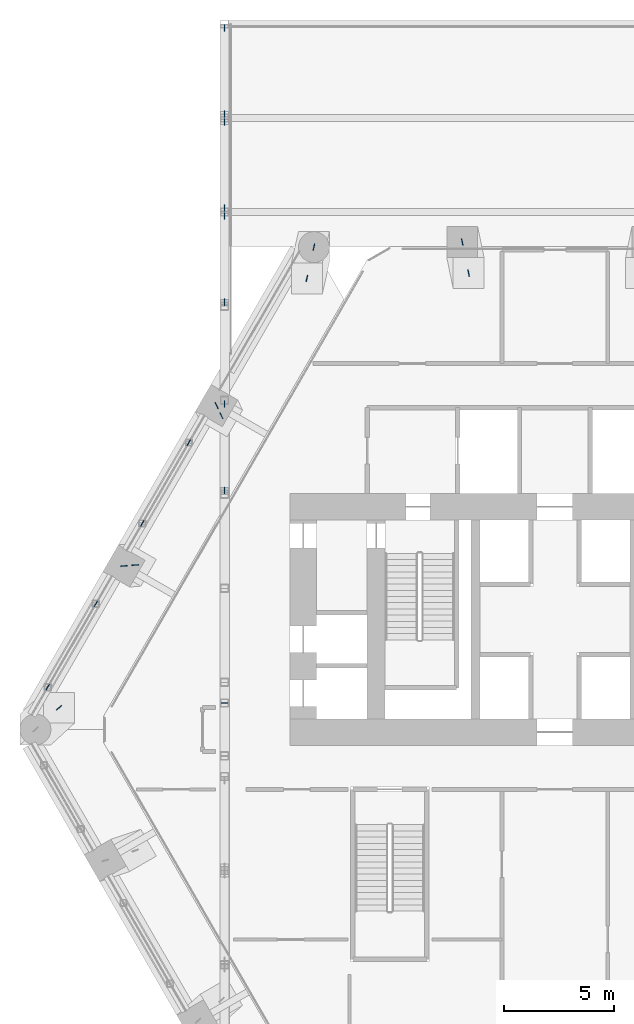
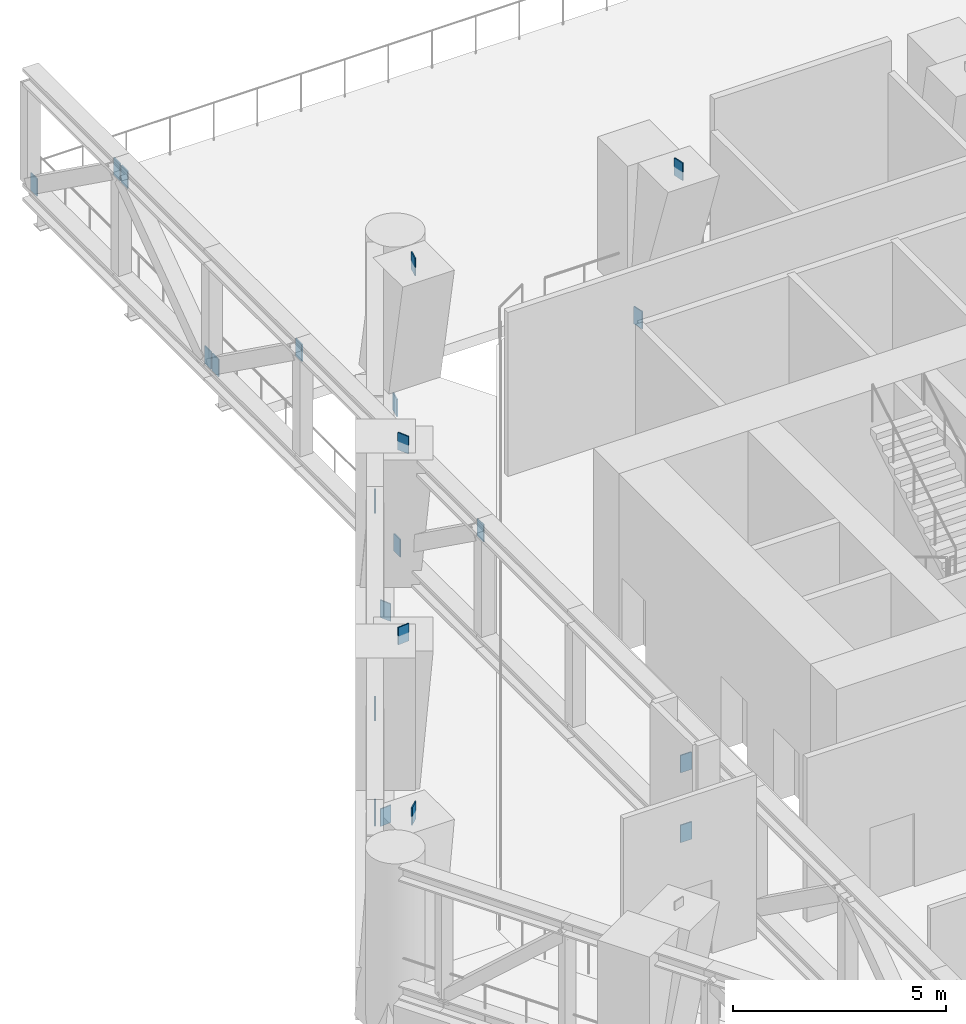
# One storey, part 14 of 20: 23 discrete accessories.
"""IFC4 building model written with IfcOpenShell, lengths in metres."""

from ifc_helpers import new_model, si_unit, direction, frame, origin, origin_2d, place, context, subcontext, project, spatial, rectangle, extrude, material, layer, layer_set, type_object, element, save


model = new_model("IFC4")

# Units and contexts
model_context = context("Model", 3, precision=1e-05, world=origin(), true_north=direction((0.0, 1.0)))
body_context = subcontext(model_context, "Body", "Model", "MODEL_VIEW")
ifc_project = project(units=[si_unit("LENGTHUNIT", "METRE"), si_unit("AREAUNIT", "SQUARE_METRE"), si_unit("VOLUMEUNIT", "CUBIC_METRE"), si_unit("PLANEANGLEUNIT", "RADIAN"), si_unit("MASSUNIT", "GRAM", prefix="KILO")], contexts=[model_context])

# Site, building, storey
site_placement = place(None, origin())
site = spatial("IfcSite", under=ifc_project, at=site_placement, CompositionType="ELEMENT")
building_placement = place(site_placement, origin())
building = spatial("IfcBuilding", under=site, at=building_placement, Name="Ostrander Bayou Hotel Tower", CompositionType="ELEMENT")
storey_placement = place(building_placement, frame((0.0, 0.0, 80.5)))
storey = spatial("IfcBuildingStorey", under=building, at=storey_placement, Name="L20", CompositionType="ELEMENT", Elevation=80.5)

# Discrete accessories
ifc_material = material(Name="Steel ASTM A572 Gr 50", Category="steel")
ifc_layer = layer(ifc_material, 0.030029296875)
ifc_layer_set = layer_set([ifc_layer], Name="GP1 gusset plate 30 mm")
discrete_accessory_type = type_object("IfcDiscreteAccessoryType", Name="GP1 gusset plate 30 mm", PredefinedType="BRACKET", material=ifc_layer_set)
for number, where, z_axis, x_axis, name in (
    (1, (-18.697021484375, 8.352294921875, 0.157470703125), (0.0, 0.0, 1.0), (0.5, 0.866025403784, 0.0), "GP1 gusset plate belt 1"),
    (2, (-16.581787109375, 12.015869140625, 3.142578125), (0.0, 0.0, 1.0), (0.5, 0.866025403784, 0.0), "GP1 gusset plate belt 2"),
    (3, (-20.799072265625, 4.711181640625, 0.157470703125), (0.0, 0.0, 1.0), (-0.5, -0.866025403784, 0.0), "GP1 gusset plate belt 3"),
    (4, (-22.980224609375, 0.933349609375, 3.142578125), (0.0, 0.0, 1.0), (-0.5, -0.866025403784, 0.0), "GP1 gusset plate belt 4"),
    (5, (-14.965087890625, 30.808349609375, 0.247802734375), (0.0, 0.0, 1.0), (0.0, -1.0, 0.0), "GP1 gusset plate bar 1"),
    (6, (-14.965087890625, 26.901611328125, 3.05224609375), (0.0, 0.0, 1.0), (0.0, -1.0, 0.0), "GP1 gusset plate bar 2"),
    (7, (-14.965087890625, 22.63916015625, 0.247802734375), (0.0, 0.0, 1.0), (0.0, 1.0, 0.0), "GP1 gusset plate bar 3"),
    (8, (-14.965087890625, 26.5458984375, 3.05224609375), (0.0, 0.0, 1.0), (0.0, 1.0, 0.0), "GP1 gusset plate bar 4"),
    (9, (-14.965087890625, 22.28369140625, 0.247802734375), (0.0, 0.0, 1.0), (0.0, -1.0, 0.0), "GP1 gusset plate bar 5"),
    (10, (-14.965087890625, 18.376708984375, 3.05224609375), (0.0, 0.0, 1.0), (0.0, -1.0, 0.0), "GP1 gusset plate bar 6"),
    (11, (-14.965087890625, 13.7587890625, 0.247802734375), (0.0, 0.0, 1.0), (0.0, -1.0, 0.0), "GP1 gusset plate bar 7"),
    (12, (-14.965087890625, 9.851806640625, 3.05224609375), (0.0, 0.0, 1.0), (0.0, -1.0, 0.0), "GP1 gusset plate bar 8"),
    (13, (-14.965087890625, 0.218017578125, 0.247802734375), (0.0, 0.0, 1.0), (1.0, 0.0, 0.0), "GP1 gusset plate bar 9"),
    (14, (-14.965087890625, 0.218017578125, 2.25), (0.0, 0.0, 1.0), (1.0, 0.0, 0.0), "GP1 gusset plate bar 10"),
    (15, (-10.916748046875, 20.872314453125, -1.449951171875), (0.0, 0.0, 1.0), (-0.219369442007, -0.975641864576, 0.0), "GP1 gusset plate belt 49"),
    (16, (-11.234619140625, 19.458740234375, 3.550048828125), (0.0, 0.0, 1.0), (-0.219369442007, -0.975641864576, 0.0), "GP1 gusset plate belt 50"),
    (17, (-22.468994140625, 0.0, 3.550048828125), (0.0, 0.0, 1.0), (0.735269577966, 0.677774776543, 0.0), "GP1 gusset plate belt 52"),
    (18, (-4.1953125, 21.10009765625, -1.449951171875), (0.0, 0.0, 1.0), (0.201966872507, -0.979392353661, 0.0), "GP1 gusset plate belt 63"),
    (19, (-3.90673828125, 19.699951171875, 3.550048828125), (0.0, 0.0, 1.0), (0.201966872507, -0.979392353661, 0.0), "GP1 gusset plate belt 64"),
    (20, (-15.3251953125, 13.6923828125, -1.449951171875), (0.0, 0.0, 1.0), (0.428619783775, -0.903484964433, 0.0), "GP1 gusset plate belt 65"),
    (21, (-15.107421875, 13.2333984375, 3.550048828125), (0.0, 0.0, 1.0), (0.428619783775, -0.903484964433, 0.0), "GP1 gusset plate belt 66"),
    (22, (-19.5205078125, 6.42578125, -1.449951171875), (0.0, 0.0, 1.0), (0.996738158456, 0.080703429161, 0.0), "GP1 gusset plate belt 67"),
    (23, (-19.01416015625, 6.466796875, 3.550048828125), (0.0, 0.0, 1.0), (0.996738158456, 0.080703429161, 0.0), "GP1 gusset plate belt 68"),
):
    element("IfcDiscreteAccessory", number, at=place(storey_placement, frame(where, z_axis=z_axis, x_axis=x_axis)), inside=storey, type_object=discrete_accessory_type, Name=name, PredefinedType="BRACKET", context=body_context, shape_type="SweptSolid", body=[
        extrude(rectangle(XDim=0.300048828125, YDim=0.030029296875, at=origin_2d()), origin(), (0.0, 0.0, 1.0), 0.5),
    ])

save(model, "model.ifc")
